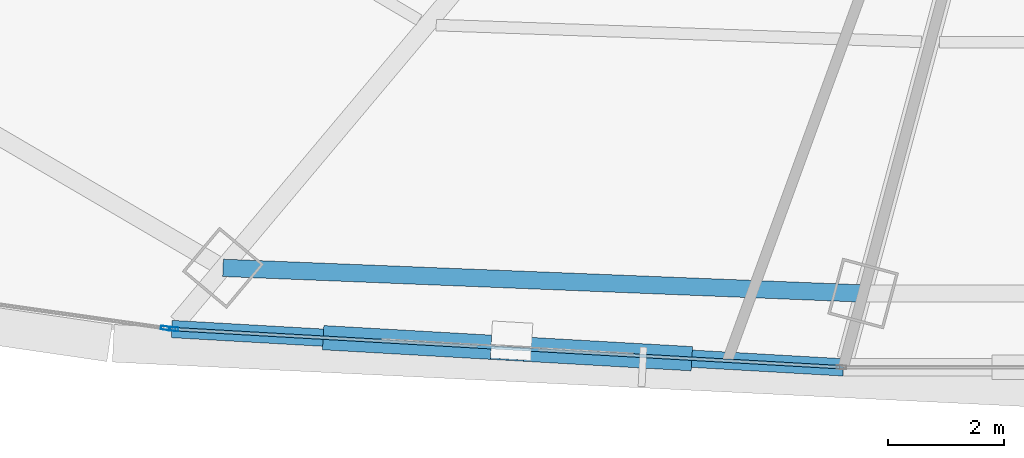
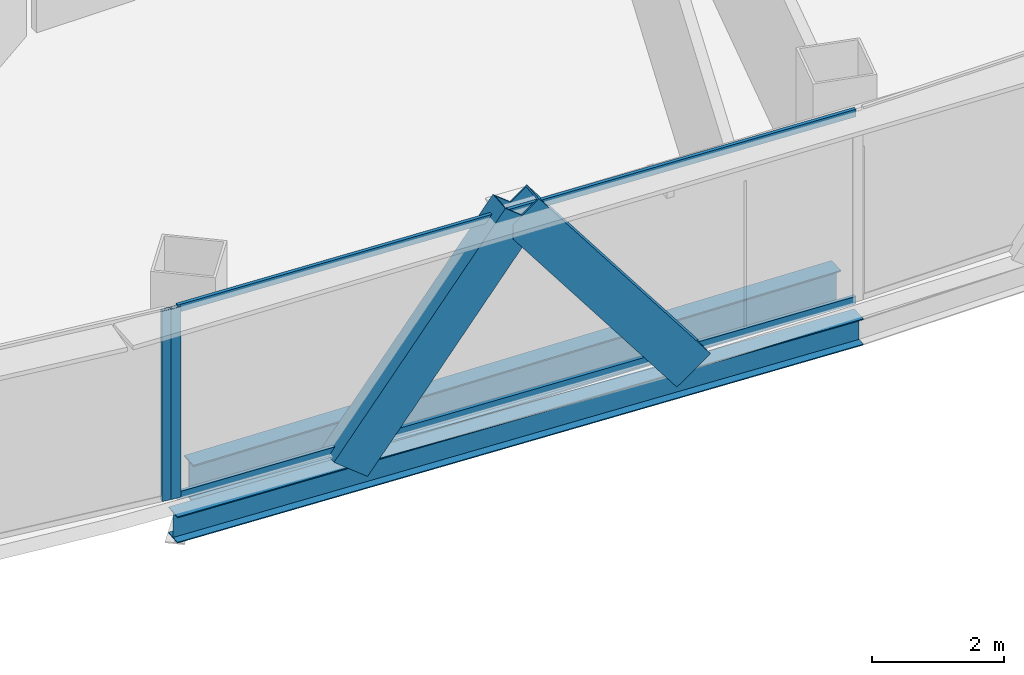
# One storey, part 6 of 41: 6 members, 2 beams, 2 elements without a shape of their own.
"""IFC4 building model written with IfcOpenShell, lengths in metres."""

import ifcopenshell
import ifcopenshell.guid

model = None  # the IFC model being written
_history = None  # IfcOwnerHistory: only IFC2X3 demands one
_inside = {}  # id of a spatial element -> (the spatial element, [elements in it])
_under = {}  # id of a project, library or spatial element -> (it, [spatial elements below it])
_declared = {}  # id of a project -> (the project, [libraries it declares])
_typed = {}  # id of a type object -> (the type object, [elements of that type])
_made_of = {}  # id of a material, layer set ... -> (it, [elements and type objects made of it])


def new_model(schema):
    """Start an empty IFC model of exactly this schema.

    Asked for "IFC4X3", IfcOpenShell would pick the latest addendum, in which some entities
    have other attributes; the version numbers below select the first issue.
    IFC2X3 requires an IfcOwnerHistory on every rooted entity: one is made here for all.
    """
    global model, _history
    if schema == "IFC4X3":
        model = ifcopenshell.file(schema_version=(4, 3, 0, 0))
    else:
        model = ifcopenshell.file(schema=schema)
    _inside.clear()
    _under.clear()
    _declared.clear()
    _typed.clear()
    _made_of.clear()
    _history = None
    if model.schema == "IFC2X3":
        org = make("IfcOrganization", Name="unknown")
        user = make(
            "IfcPersonAndOrganization",
            ThePerson=make("IfcPerson", FamilyName="unknown"),
            TheOrganization=org,
        )
        app = make(
            "IfcApplication",
            ApplicationDeveloper=org,
            Version="unknown",
            ApplicationFullName="unknown",
            ApplicationIdentifier="unknown",
        )
        _history = make(
            "IfcOwnerHistory",
            OwningUser=user,
            OwningApplication=app,
            ChangeAction="ADDED",
            CreationDate=0,
        )
    return model


def make(cls, **values):
    """One entity of the class cls with the attributes given. An attribute that is None is left unset."""
    return model.create_entity(
        cls, **{name: value for name, value in values.items() if value is not None}
    )


def rooted(cls, **values):
    """An entity with a GlobalId (a new one), such as an element, a storey or a relation."""
    return make(cls, GlobalId=ifcopenshell.guid.new(), OwnerHistory=_history, **values)


def si_unit(unit_type, name, prefix=None):
    """IfcSIUnit, for example si_unit("LENGTHUNIT", "METRE", prefix="MILLI")."""
    return make("IfcSIUnit", UnitType=unit_type, Prefix=prefix, Name=name)


def assignment(units):
    """IfcUnitAssignment: the units of a project."""
    return None if units is None else make("IfcUnitAssignment", Units=units)


def point(xyz):
    """IfcCartesianPoint."""
    return None if xyz is None else make("IfcCartesianPoint", Coordinates=xyz)


def direction(xyz):
    """IfcDirection."""
    return None if xyz is None else make("IfcDirection", DirectionRatios=xyz)


def frame(location, z_axis=None, x_axis=None):
    """IfcAxis2Placement3D, a coordinate frame: its origin and axes. An axis left out is left unset."""
    return make(
        "IfcAxis2Placement3D",
        Location=point(location),
        Axis=direction(z_axis),
        RefDirection=direction(x_axis),
    )


def frame_2d(location, x_axis=None):
    """IfcAxis2Placement2D, a coordinate frame in the plane: its origin and x axis."""
    return make(
        "IfcAxis2Placement2D", Location=point(location), RefDirection=direction(x_axis)
    )


def origin():
    """The frame at (0, 0, 0) with its axes left unset."""
    return frame((0.0, 0.0, 0.0))


def origin_2d():
    """The frame at (0, 0) in the plane with its x axis left unset."""
    return frame_2d((0.0, 0.0))


def place(relative_to, where):
    """IfcLocalPlacement: puts the frame where relative to a parent placement (None: the world)."""
    return make(
        "IfcLocalPlacement", PlacementRelTo=relative_to, RelativePlacement=where
    )


def context(
    kind, dimensions, precision=None, world=None, true_north=None, identifier=None
):
    """IfcGeometricRepresentationContext, for example the 3D "Model" context."""
    return make(
        "IfcGeometricRepresentationContext",
        ContextIdentifier=identifier,
        ContextType=kind,
        CoordinateSpaceDimension=dimensions,
        Precision=precision,
        WorldCoordinateSystem=world,
        TrueNorth=true_north,
    )


def subcontext(parent, identifier, kind, view, scale=None):
    """IfcGeometricRepresentationSubContext, for example "Body" below "Model"."""
    return make(
        "IfcGeometricRepresentationSubContext",
        ContextIdentifier=identifier,
        ContextType=kind,
        ParentContext=parent,
        TargetScale=scale,
        TargetView=view,
    )


def project(units=None, contexts=None):
    """IfcProject with its units and contexts."""
    return rooted(
        "IfcProject",
        Name="project",
        RepresentationContexts=contexts,
        UnitsInContext=assignment(units),
    )


def spatial(cls, under=None, at=None, **own):
    """A site, building, storey or space (cls), placed at a placement, below another one or the project."""
    s = rooted(cls, ObjectPlacement=at, **own)
    if under is not None:
        _under.setdefault(under.id(), (under, []))[1].append(s)
    return s


def profile(cls, at=None, kind="AREA", **sizes):
    """A parametric profile (cls). Its sizes go by their IFC names, for example OverallWidth=200.0."""
    return make(cls, ProfileType=kind, Position=at, **sizes)


def hollow_rectangle(**sizes):
    """IfcRectangleHollowProfileDef."""
    return profile("IfcRectangleHollowProfileDef", **sizes)


def i_section(**sizes):
    """IfcIShapeProfileDef."""
    return profile("IfcIShapeProfileDef", **sizes)


def extrude(swept, where, along, depth):
    """IfcExtrudedAreaSolid: the profile swept, set in the frame where, extruded along a direction by depth."""
    return make(
        "IfcExtrudedAreaSolid",
        SweptArea=swept,
        Position=where,
        ExtrudedDirection=direction(along),
        Depth=depth,
    )


def shape(context_of_items, identifier, shape_type, items):
    """IfcShapeRepresentation: the items that make up one representation, for example the "Body"."""
    return make(
        "IfcShapeRepresentation",
        ContextOfItems=context_of_items,
        RepresentationIdentifier=identifier,
        RepresentationType=shape_type,
        Items=items,
    )


def source(mapping_origin, context_of_items, identifier, shape_type, items):
    """IfcRepresentationMap: a shape defined once, which mapped items show again and again."""
    return make(
        "IfcRepresentationMap",
        MappingOrigin=mapping_origin,
        MappedRepresentation=shape(context_of_items, identifier, shape_type, items),
    )


def transform(
    local_origin,
    x_axis=None,
    y_axis=None,
    z_axis=None,
    scale=None,
    scale2=None,
    scale3=None,
    uniform=True,
):
    """IfcCartesianTransformationOperator3D, or its non-uniform kind. x_axis, y_axis, z_axis: its Axis1, 2, 3."""
    if uniform:
        return make(
            "IfcCartesianTransformationOperator3D",
            Axis1=direction(x_axis),
            Axis2=direction(y_axis),
            LocalOrigin=point(local_origin),
            Scale=scale,
            Axis3=direction(z_axis),
        )
    return make(
        "IfcCartesianTransformationOperator3DnonUniform",
        Axis1=direction(x_axis),
        Axis2=direction(y_axis),
        LocalOrigin=point(local_origin),
        Scale=scale,
        Axis3=direction(z_axis),
        Scale2=scale2,
        Scale3=scale3,
    )


def mapped(mapping_source, mapping_target):
    """IfcMappedItem: shows the shape of a source again, moved by a transform."""
    return make(
        "IfcMappedItem", MappingSource=mapping_source, MappingTarget=mapping_target
    )


def material(Name=None, Category=None):
    """IfcMaterial."""
    return make("IfcMaterial", Name=Name, Category=Category)


def layer(
    of_material, thickness, ventilated=None, Name=None, Category=None, Priority=None
):
    """IfcMaterialLayer: one layer of a wall or slab, of a material (None: an air gap)."""
    return make(
        "IfcMaterialLayer",
        Material=of_material,
        LayerThickness=thickness,
        IsVentilated=ventilated,
        Name=Name,
        Category=Category,
        Priority=Priority,
    )


def layer_set(layers, Name=None):
    """IfcMaterialLayerSet."""
    return make("IfcMaterialLayerSet", MaterialLayers=layers, LayerSetName=Name)


def material_profile(
    of_material, cross_section, Name=None, Category=None, Priority=None
):
    """IfcMaterialProfile: a cross section and its material."""
    return make(
        "IfcMaterialProfile",
        Name=Name,
        Material=of_material,
        Profile=cross_section,
        Priority=Priority,
        Category=Category,
    )


def profile_set(profiles, Name=None, composite=None):
    """IfcMaterialProfileSet."""
    return make(
        "IfcMaterialProfileSet",
        Name=Name,
        MaterialProfiles=profiles,
        CompositeProfile=composite,
    )


def made_of(thing, what):
    """Note that an element or type object is made of a material, layer set ...; save() writes the relation."""
    if what is not None:
        _made_of.setdefault(what.id(), (what, []))[1].append(thing)
    return thing


def type_object(cls, material=None, **own):
    """A type object (cls), such as IfcWallType, which elements share."""
    return made_of(rooted(cls, **own), material)


def element(
    cls,
    number,
    at=None,
    inside=None,
    cuts=None,
    type_object=None,
    material=None,
    context=None,
    identifier="Body",
    shape_type=None,
    held_by="IfcProductDefinitionShape",
    body=None,
    shapes=None,
    **own,
):
    """One element of the class cls, such as IfcWall. Its Tag is "e" and its number.

    at: its placement. inside: the storey or other place that contains it. cuts: it is an
    opening in that element (IfcRelVoidsElement). A single representation is given by context,
    identifier, shape_type and body (its items); several are given by shapes. held_by: the class
    of the entity that holds the representations. save() writes the other relations.
    """
    e = rooted(cls, Tag="e%d" % number, ObjectPlacement=at, **own)
    if body is not None:
        shapes = [shape(context, identifier, shape_type, body)]
    if shapes is not None:
        e.Representation = make(held_by, Representations=shapes)
    if inside is not None:
        _inside.setdefault(inside.id(), (inside, []))[1].append(e)
    if cuts is not None:
        rooted(
            "IfcRelVoidsElement", RelatingBuildingElement=cuts, RelatedOpeningElement=e
        )
    if type_object is not None:
        _typed.setdefault(type_object.id(), (type_object, []))[1].append(e)
    return made_of(e, material)


def aggregate(whole, parts):
    """IfcRelAggregates: a whole, such as a stair, and the parts it consists of."""
    return rooted("IfcRelAggregates", RelatingObject=whole, RelatedObjects=parts)


def save(model, path):
    """Write the relations noted so far, then the file.

    IfcRelAggregates (storeys below a building ...), IfcRelContainedInSpatialStructure (elements
    in a storey), IfcRelDefinesByType, IfcRelAssociatesMaterial and IfcRelDeclares: one each for
    every whole, place, type object, material and project.
    """
    for whole, parts in _under.values():
        aggregate(whole, parts)
    for where, things in _inside.values():
        rooted(
            "IfcRelContainedInSpatialStructure",
            RelatedElements=things,
            RelatingStructure=where,
        )
    for kind, things in _typed.values():
        rooted("IfcRelDefinesByType", RelatedObjects=things, RelatingType=kind)
    for what, things in _made_of.values():
        rooted("IfcRelAssociatesMaterial", RelatedObjects=things, RelatingMaterial=what)
    for by, libraries in _declared.values():
        rooted("IfcRelDeclares", RelatingContext=by, RelatedDefinitions=libraries)
    model.write(path)


model = new_model("IFC4")

# Units and contexts
model_context = context("Model", 3, precision=1e-05, world=origin(), true_north=direction((0.0, 1.0)))
body_context = subcontext(model_context, "Body", "Model", "MODEL_VIEW")
ifc_project = project(units=[si_unit("LENGTHUNIT", "METRE"), si_unit("AREAUNIT", "SQUARE_METRE"), si_unit("VOLUMEUNIT", "CUBIC_METRE"), si_unit("PLANEANGLEUNIT", "RADIAN"), si_unit("MASSUNIT", "GRAM", prefix="KILO"), si_unit("THERMODYNAMICTEMPERATUREUNIT", "KELVIN"), si_unit("POWERUNIT", "WATT")], contexts=[model_context])

# Site, building, storey
site_placement = place(None, origin())
site = spatial("IfcSite", under=ifc_project, at=site_placement, CompositionType="ELEMENT")
building_placement = place(site_placement, origin())
building = spatial("IfcBuilding", under=site, at=building_placement, Name="Yunzhuo Pagoda Commons", CompositionType="ELEMENT")
storey_placement = place(building_placement, frame((0.0, 0.0, 115.3798828125)))
storey = spatial("IfcBuildingStorey", under=building, at=storey_placement, Name="L29", CompositionType="ELEMENT", Elevation=115.3798828125)

# Beams
ifc_material_1 = material(Name="Structural steel Q355B", Category="steel")
ifc_material_profile_1 = material_profile(ifc_material_1, i_section(OverallWidth=0.300048828125, OverallDepth=0.699951171875, WebThickness=0.012939453125, FlangeThickness=0.02392578125, at=origin_2d()), Name="Structural steel Q355B")
ifc_profile_set_1 = profile_set([ifc_material_profile_1], Name="Structural steel Q355B")
beam_type_1 = type_object("IfcBeamType", Name="B-RG1 Beam HN 700x300x13x24", PredefinedType="BEAM", material=ifc_profile_set_1)
shared_shape_1 = source(origin(), body_context, "Body", "SweptSolid", [
    extrude(i_section(OverallWidth=0.300048828125, OverallDepth=0.699951171875, WebThickness=0.012939453125, FlangeThickness=0.02392578125, at=origin_2d()), origin(), (0.0, 0.0, 1.0), 11.077392578125),
])
beam_1_placement = place(storey_placement, frame((31.56396484375, 14.1123046875, -0.609619140625), z_axis=(0.999196975427, -0.040067496776, 0.0), x_axis=(0.040067496776, 0.999196975427, 0.0)))
element("IfcBeam", 1, at=beam_1_placement, inside=storey, type_object=beam_type_1, Name="L29 column-ring beam 1", PredefinedType="BEAM", context=body_context, shape_type="MappedRepresentation", body=[
    mapped(shared_shape_1, transform((0.0, 0.0, 0.0), scale=1.0)),
])
ifc_material_profile_2 = material_profile(ifc_material_1, i_section(OverallWidth=0.300048828125, OverallDepth=0.488037109375, WebThickness=0.010986328125, FlangeThickness=0.01806640625, at=origin_2d()), Name="Structural steel Q355B")
ifc_profile_set_2 = profile_set([ifc_material_profile_2], Name="Structural steel Q355B")
beam_type_2 = type_object("IfcBeamType", Name="B-SP1 Beam HM 488x300x11x18", PredefinedType="BEAM", material=ifc_profile_set_2)
shared_shape_2 = source(origin(), body_context, "Body", "SweptSolid", [
    extrude(i_section(OverallWidth=0.300048828125, OverallDepth=0.488037109375, WebThickness=0.010986328125, FlangeThickness=0.01806640625, at=origin_2d()), origin(), (0.0, 0.0, 1.0), 11.6328125),
])
beam_2_placement = place(storey_placement, frame((30.676513671875, 13.054443359375, -0.50390625), z_axis=(0.998372870978, -0.057022894481, 0.0), x_axis=(0.057022894481, 0.998372870978, 0.0)))
element("IfcBeam", 2, at=beam_2_placement, inside=storey, type_object=beam_type_2, Name="L29 facade edge spandrel beam F1.1", PredefinedType="BEAM", context=body_context, shape_type="MappedRepresentation", body=[
    mapped(shared_shape_2, transform((0.0, 0.0, 0.0), scale=1.0)),
])

# Members
ifc_material_2 = material(Name="Structural steel Q420B", Category="steel")
ifc_material_profile_3 = material_profile(ifc_material_2, hollow_rectangle(XDim=0.419921875, YDim=0.719970703125, WallThickness=0.028076171875, at=origin_2d()), Name="Structural steel Q420B")
ifc_profile_set_3 = profile_set([ifc_material_profile_3], Name="Structural steel Q420B")
member_type_1 = type_object("IfcMemberType", Name="M-DL1 Brace BOX 720x420x28", PredefinedType="BRACE", material=ifc_profile_set_3)
shared_shape_3 = source(origin(), body_context, "Body", "SweptSolid", [
    extrude(hollow_rectangle(XDim=0.419921875, YDim=0.719970703125, WallThickness=0.028076171875, at=origin_2d()), origin(), (0.0, 0.0, 1.0), 4.769287109375),
])
member_1_placement = place(storey_placement, frame((33.579833984375, 12.888427734375, -0.259765625), z_axis=(0.608820193585, -0.034759010464, 0.79254639175), x_axis=(0.056999586574, 0.998374201956, 0.0)))
element("IfcMember", 3, at=member_1_placement, inside=storey, type_object=member_type_1, Name="L29 facade diamond brace F1.1L", PredefinedType="BRACE", context=body_context, shape_type="MappedRepresentation", body=[
    mapped(shared_shape_3, transform((0.0, 0.0, 0.0), scale=1.0)),
])
shared_shape_4 = source(origin(), body_context, "Body", "SweptSolid", [
    extrude(hollow_rectangle(XDim=0.419921875, YDim=0.719970703125, WallThickness=0.028076171875, at=origin_2d()), origin(), (0.0, 0.0, 1.0), 4.76904296875),
])
member_2_placement = place(storey_placement, frame((39.38671875, 12.556884765625, -0.259765625), z_axis=(-0.60878797534, 0.034760093782, 0.792571092686), x_axis=(-0.057004364103, -0.998373929183, 0.0)))
element("IfcMember", 4, at=member_2_placement, inside=storey, type_object=member_type_1, Name="L29 facade diamond brace F1.1R", PredefinedType="BRACE", context=body_context, shape_type="MappedRepresentation", body=[
    mapped(shared_shape_4, transform((0.0, 0.0, 0.0), scale=1.0)),
])

# Curtain wall, members
ifc_material_3 = material(Name="Anodized aluminium 6063-T6", Category="aluminium")
ifc_layer = layer(ifc_material_3, 0.1650390625)
ifc_layer_set = layer_set([ifc_layer], Name="Anodized aluminium 6063-T6")
curtain_wall_type = type_object("IfcCurtainWallType", Name="CW-LOW Low-Zone Ribbon Curtain Wall", PredefinedType="NOTDEFINED", material=ifc_layer_set)
curtain_wall_1_placement = place(storey_placement, origin())
curtain_wall_1 = element("IfcCurtainWall", 5, at=curtain_wall_1_placement, inside=storey, type_object=curtain_wall_type, Name="L29 curtain wall CW-L29-F1B2", PredefinedType="NOTDEFINED")
ifc_material_profile_4 = material_profile(ifc_material_3, hollow_rectangle(XDim=0.06005859375, YDim=0.139892578125, WallThickness=0.00341796875, at=origin_2d()), Name="Anodized aluminium 6063-T6")
ifc_profile_set_4 = profile_set([ifc_material_profile_4], Name="Anodized aluminium 6063-T6")
member_type_2 = type_object("IfcMemberType", Name="CW-LOW-T Transom RHS 140x60x3.5", PredefinedType="USERDEFINED", material=ifc_profile_set_4)
shared_shape_5 = source(origin(), body_context, "Body", "SweptSolid", [
    extrude(hollow_rectangle(XDim=0.06005859375, YDim=0.139892578125, WallThickness=0.00341796875, at=origin_2d()), origin(), (0.0, 0.0, 1.0), 11.5029296875),
])
member_3_placement = place(storey_placement, frame((30.7412109375, 13.05078125, 0.030029296875), z_axis=(0.998372474019, -0.057029844123, 0.0), x_axis=(0.057029844123, 0.998372474019, 0.0)))
member_3 = element("IfcMember", 6, at=member_3_placement, type_object=member_type_2, Name="CW transom 1.1", ObjectType="TRANSOM", PredefinedType="USERDEFINED", context=body_context, shape_type="MappedRepresentation", body=[
    mapped(shared_shape_5, transform((0.0, 0.0, 0.0), scale=1.0)),
])
member_4_placement = place(storey_placement, frame((30.7412109375, 13.05078125, 3.490234375), z_axis=(0.998372474019, -0.057029844123, 0.0), x_axis=(0.057029844123, 0.998372474019, 0.0)))
member_4 = element("IfcMember", 7, at=member_4_placement, type_object=member_type_2, Name="CW transom 1.2", ObjectType="TRANSOM", PredefinedType="USERDEFINED", context=body_context, shape_type="MappedRepresentation", body=[
    mapped(shared_shape_5, transform((0.0, 0.0, 0.0), scale=1.0)),
])
ifc_material_profile_5 = material_profile(ifc_material_3, hollow_rectangle(XDim=0.06494140625, YDim=0.1650390625, WallThickness=0.00390625, at=origin_2d()), Name="Anodized aluminium 6063-T6")
ifc_profile_set_5 = profile_set([ifc_material_profile_5], Name="Anodized aluminium 6063-T6")
member_type_3 = type_object("IfcMemberType", Name="CW-LOW-M Mullion RHS 165x65x4", PredefinedType="MULLION", material=ifc_profile_set_5)
shared_shape_6 = source(origin(), body_context, "Body", "SweptSolid", [
    extrude(hollow_rectangle(XDim=0.06494140625, YDim=0.1650390625, WallThickness=0.00390625, at=origin_2d()), origin(), (0.0, 0.0, 1.0), 3.52001953125),
])
member_5_placement = place(storey_placement, frame((30.708740234375, 13.052490234375, 0.0), z_axis=(0.0, 0.0, 1.0), x_axis=(0.057027757736, 0.998372593197, 0.0)))
member_5 = element("IfcMember", 8, at=member_5_placement, type_object=member_type_3, Name="CW mullion 1", PredefinedType="MULLION", context=body_context, shape_type="MappedRepresentation", body=[
    mapped(shared_shape_6, transform((0.0, 0.0, 0.0), scale=1.0)),
])
aggregate(curtain_wall_1, [member_5, member_3, member_4])

# Curtain wall, member
curtain_wall_2_placement = place(storey_placement, origin())
curtain_wall_2 = element("IfcCurtainWall", 9, at=curtain_wall_2_placement, inside=storey, type_object=curtain_wall_type, Name="L29 curtain wall CW-L29-F1B1", PredefinedType="NOTDEFINED")
member_6_placement = place(storey_placement, frame((30.56982421875, 13.069580078125, 0.0), z_axis=(0.0, 0.0, 1.0), x_axis=(0.140408035721, 0.990093724606, 0.0)))
member_6 = element("IfcMember", 10, at=member_6_placement, type_object=member_type_3, Name="CW mullion 2", PredefinedType="MULLION", context=body_context, shape_type="MappedRepresentation", body=[
    mapped(shared_shape_6, transform((0.0, 0.0, 0.0), scale=1.0)),
])
aggregate(curtain_wall_2, [member_6])

save(model, "model.ifc")
